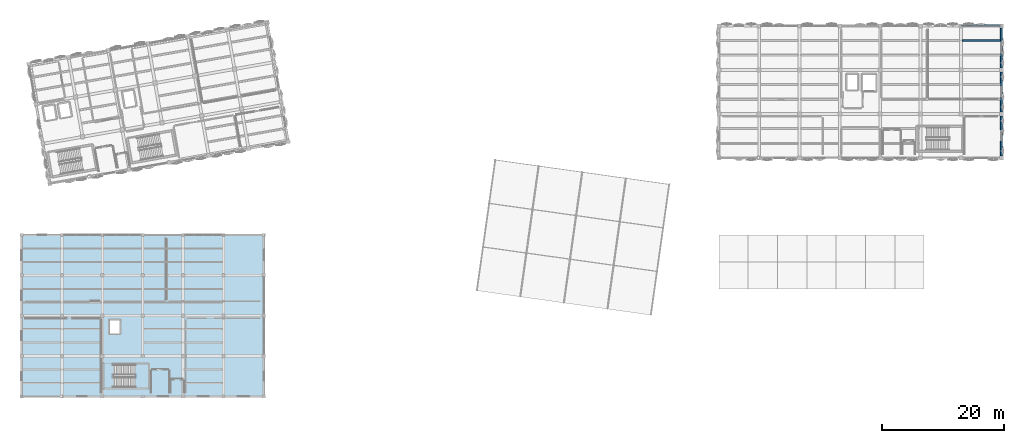
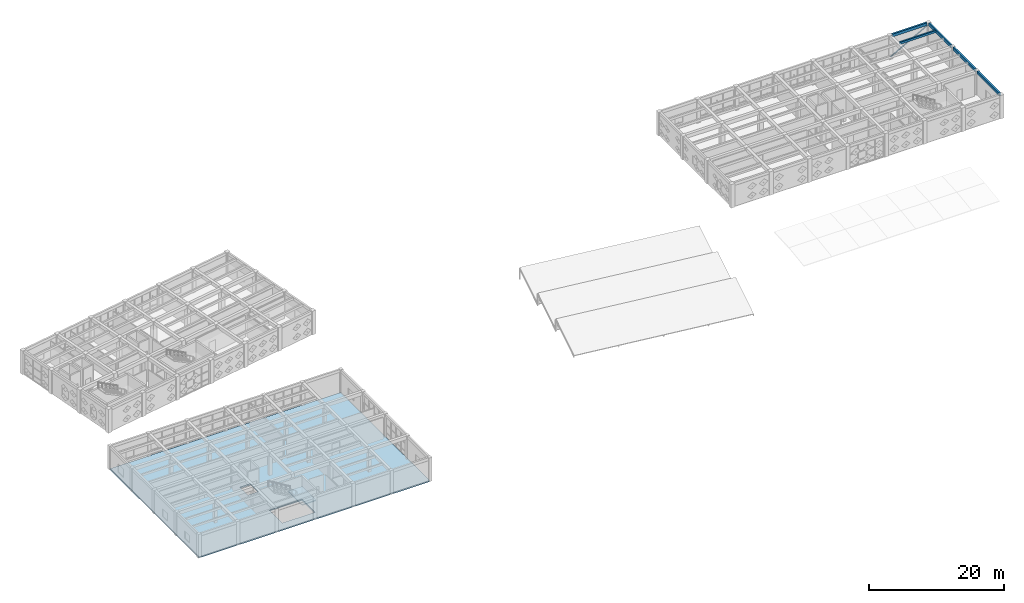
# One storey, part 26 of 48: 5 beams, 2 slabs, 1 member, 1 element without a shape of its own.
"""IFC4 building model written with IfcOpenShell, lengths in metres."""

from ifc_helpers import new_model, si_unit, direction, frame, origin, origin_2d, place, context, subcontext, project, spatial, polyline, rectangle, hollow_circle, outline, extrude, material, layer, layer_set, material_profile, profile_set, type_object, element, aggregate, save


model = new_model("IFC4")

# Units and contexts
model_context = context("Model", 3, precision=1e-05, world=origin(), true_north=direction((0.0, 1.0)))
body_context = subcontext(model_context, "Body", "Model", "MODEL_VIEW")
ifc_project = project(units=[si_unit("LENGTHUNIT", "METRE"), si_unit("AREAUNIT", "SQUARE_METRE"), si_unit("VOLUMEUNIT", "CUBIC_METRE"), si_unit("PLANEANGLEUNIT", "RADIAN"), si_unit("MASSUNIT", "GRAM", prefix="KILO")], contexts=[model_context])

# Site, building, storey
site_placement = place(None, origin())
site = spatial("IfcSite", under=ifc_project, at=site_placement, CompositionType="ELEMENT")
building_placement = place(site_placement, origin())
building = spatial("IfcBuilding", under=site, at=building_placement, Name="Kharisveld Research Institute", CompositionType="ELEMENT")
storey_placement = place(building_placement, frame((0.0, 0.0, 14.10009765625)))
storey = spatial("IfcBuildingStorey", under=building, at=storey_placement, Name="L03", CompositionType="ELEMENT", Elevation=14.10009765625)

# Member
ifc_material_1 = material(Name="Steel S355J2H", Category="steel")
ifc_material_profile_1 = material_profile(ifc_material_1, hollow_circle(Radius=0.109619140625, WallThickness=0.010009765625, at=origin_2d()))
ifc_profile_set_1 = profile_set([ifc_material_profile_1], Name="Steel S355J2H")
member_type = type_object("IfcMemberType", Name="BR_CHS219", PredefinedType="BRACE", material=ifc_profile_set_1)
member_placement = place(storey_placement, frame((154.300048828125, 60.800048828125, 0.199951171875), z_axis=(0.875053295182, 0.0, 0.484026580459), x_axis=(0.0, 1.0, 0.0)))
element("IfcMember", 1, at=member_placement, inside=storey, type_object=member_type, Name="MEM:V2:L03:BR_6_3", PredefinedType="BRACE", context=body_context, shape_type="SweptSolid", body=[
    extrude(hollow_circle(Radius=0.109619140625, WallThickness=0.010009765625, at=origin_2d()), origin(), (0.0, 0.0, 1.0), 7.313720703125),
])

# Beams
ifc_material_2 = material(Name="Concrete C40/50", Category="concrete")
ifc_material_profile_2 = material_profile(ifc_material_2, rectangle(XDim=0.300048828125, YDim=0.5, at=origin_2d()))
ifc_profile_set_2 = profile_set([ifc_material_profile_2], Name="Concrete C40/50")
beam_type_1 = type_object("IfcBeamType", Name="SP_RC_300x500", PredefinedType="SPANDREL", material=ifc_profile_set_2)
beam_1_placement = place(storey_placement, frame((154.52490234375, 60.800048828125, 4.039794921875), z_axis=(1.0, 0.0, 0.0), x_axis=(0.0, 1.0, 0.0)))
element("IfcBeam", 2, at=beam_1_placement, inside=storey, type_object=beam_type_1, Name="BM:V2:L03:U6_3", PredefinedType="SPANDREL", context=body_context, shape_type="SweptSolid", body=[
    extrude(rectangle(XDim=0.300048828125, YDim=0.5, at=origin_2d()), origin(), (0.0, 0.0, 1.0), 5.9501953125),
])
beam_2_placement = place(storey_placement, frame((160.800048828125, 39.52490234375, 4.039794921875), z_axis=(0.0, 1.0, 0.0), x_axis=(-1.0, 0.0, 0.0)))
element("IfcBeam", 3, at=beam_2_placement, inside=storey, type_object=beam_type_1, Name="BM:V2:L03:V7_0", PredefinedType="SPANDREL", context=body_context, shape_type="SweptSolid", body=[
    extrude(rectangle(XDim=0.300048828125, YDim=0.5, at=origin_2d()), origin(), (0.0, 0.0, 1.0), 6.550048828125),
])
beam_3_placement = place(storey_placement, frame((160.800048828125, 46.72509765625, 4.039794921875), z_axis=(0.0, 1.0, 0.0), x_axis=(-1.0, 0.0, 0.0)))
element("IfcBeam", 4, at=beam_3_placement, inside=storey, type_object=beam_type_1, Name="BM:V2:L03:V7_1", PredefinedType="SPANDREL", context=body_context, shape_type="SweptSolid", body=[
    extrude(rectangle(XDim=0.300048828125, YDim=0.5, at=origin_2d()), origin(), (0.0, 0.0, 1.0), 6.5498046875),
])
beam_4_placement = place(storey_placement, frame((160.800048828125, 53.925048828125, 4.039794921875), z_axis=(0.0, 1.0, 0.0), x_axis=(-1.0, 0.0, 0.0)))
element("IfcBeam", 5, at=beam_4_placement, inside=storey, type_object=beam_type_1, Name="BM:V2:L03:V7_2", PredefinedType="SPANDREL", context=body_context, shape_type="SweptSolid", body=[
    extrude(rectangle(XDim=0.300048828125, YDim=0.5, at=origin_2d()), origin(), (0.0, 0.0, 1.0), 6.550048828125),
])
ifc_material_3 = material(Name="Concrete C40/50", Category="concrete")
ifc_material_profile_3 = material_profile(ifc_material_3, rectangle(XDim=0.25, YDim=0.39990234375, at=origin_2d()))
ifc_profile_set_3 = profile_set([ifc_material_profile_3], Name="Concrete C40/50")
beam_type_2 = type_object("IfcBeamType", Name="WB_RC_250x400", PredefinedType="JOIST", material=ifc_profile_set_3)
beam_5_placement = place(storey_placement, frame((154.425048828125, 58.39990234375, 4.08984375), z_axis=(1.0, 0.0, 0.0), x_axis=(0.0, 1.0, 0.0)))
element("IfcBeam", 6, at=beam_5_placement, inside=storey, type_object=beam_type_2, Name="BM:V2:L03:J_6_2_R2", PredefinedType="JOIST", context=body_context, shape_type="SweptSolid", body=[
    extrude(rectangle(XDim=0.25, YDim=0.39990234375, at=origin_2d()), origin(), (0.0, 0.0, 1.0), 6.224853515625),
])

# Slab
ifc_material_4 = material(Name="Concrete C40/50", Category="concrete")
ifc_layer_1 = layer(ifc_material_4, 0.219970703125)
ifc_layer_set_1 = layer_set([ifc_layer_1], Name="SL_FLR_220")
slab_type_1 = type_object("IfcSlabType", Name="SL_FLR_220", PredefinedType="FLOOR", material=ifc_layer_set_1)
slab_1_placement = place(storey_placement, frame((0.0, 0.0, -0.22021484375)))
element("IfcSlab", 7, at=slab_1_placement, inside=storey, type_object=slab_type_1, Name="SLAB:V3:L03:MAIN", PredefinedType="FLOOR", context=body_context, shape_type="SweptSolid", body=[
    extrude(outline(polyline([(0.60009765625, 0.199951171875), (40.199951171875, 0.199951171875), (40.199951171875, 26.60009765625), (0.60009765625, 26.60009765625), (0.60009765625, 0.199951171875)]), holes=[polyline([(21.300048828125, 5.4599609375), (21.300048828125, 1.60009765625), (15.699951171875, 1.60009765625), (15.699951171875, 5.4599609375), (21.300048828125, 5.4599609375)]), polyline([(16.719970703125, 12.77001953125), (16.719970703125, 10.429931640625), (14.8798828125, 10.429931640625), (14.8798828125, 12.77001953125), (16.719970703125, 12.77001953125)])]), origin(), (0.0, 0.0, 1.0), 0.22021484375),
])

# Stair, slab
ifc_material_5 = material(Name="Concrete C40/50", Category="concrete")
stair_type = type_object("IfcStairType", Name="ST_EXIT_170", PredefinedType="TWO_STRAIGHT_RUN_STAIR", material=ifc_material_5)
stair_placement = place(storey_placement, origin())
stair = element("IfcStair", 8, at=stair_placement, inside=storey, type_object=stair_type, Name="STR:ST4:L03", PredefinedType="TWO_STRAIGHT_RUN_STAIR")
ifc_material_6 = material(Name="Concrete C40/50", Category="concrete")
ifc_layer_2 = layer(ifc_material_6, 0.179931640625)
ifc_layer_set_2 = layer_set([ifc_layer_2], Name="SL_LND_180")
slab_type_2 = type_object("IfcSlabType", Name="SL_LND_180", PredefinedType="LANDING", material=ifc_layer_set_2)
slab_2_placement = place(storey_placement, frame((0.0, 0.0, 2.06982421875)))
slab_2 = element("IfcSlab", 9, at=slab_2_placement, type_object=slab_type_2, Name="ST-04 landing 1", PredefinedType="LANDING", context=body_context, shape_type="SweptSolid", body=[
    extrude(outline(polyline([(19.044921875, 1.469970703125), (21.449951171875, 1.469970703125), (21.449951171875, 5.590087890625), (19.044921875, 5.590087890625), (19.044921875, 1.469970703125)])), origin(), (0.0, 0.0, 1.0), 0.18017578125),
])
aggregate(stair, [slab_2])

save(model, "model.ifc")
